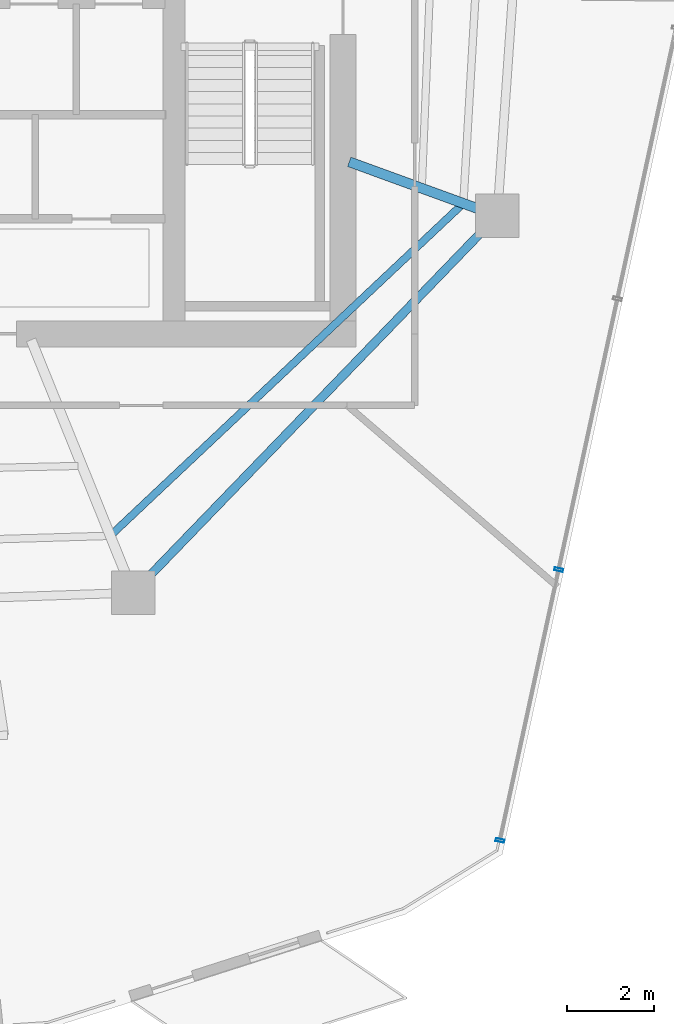
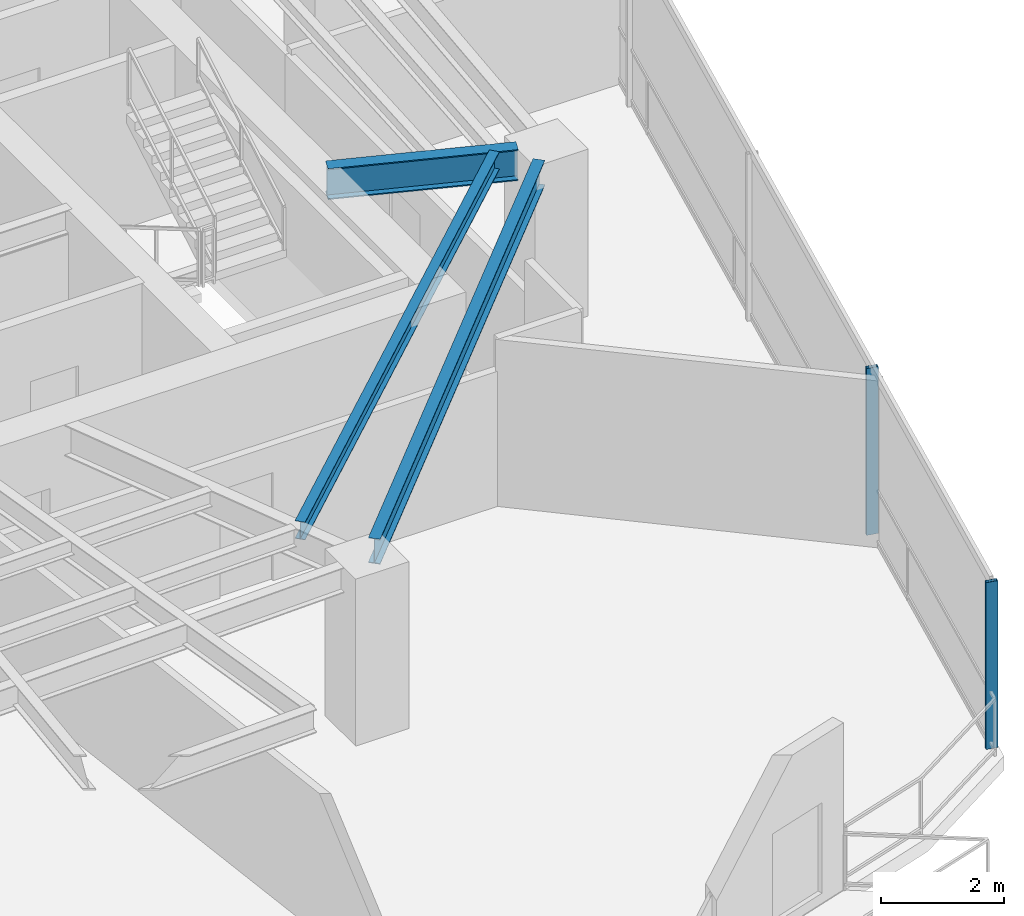
# One storey, part 8 of 21: 3 beams, 2 members, 1 element without a shape of its own.
"""IFC4 building model written with IfcOpenShell, lengths in metres."""

from ifc_helpers import new_model, si_unit, direction, frame, origin, origin_2d, place, context, subcontext, project, spatial, hollow_rectangle, i_section, extrude, material, layer, layer_set, material_profile, profile_set, type_object, element, aggregate, save


model = new_model("IFC4")

# Units and contexts
model_context = context("Model", 3, precision=1e-05, world=origin(), true_north=direction((0.0, 1.0)))
body_context = subcontext(model_context, "Body", "Model", "MODEL_VIEW")
ifc_project = project(units=[si_unit("LENGTHUNIT", "METRE"), si_unit("AREAUNIT", "SQUARE_METRE"), si_unit("VOLUMEUNIT", "CUBIC_METRE"), si_unit("PLANEANGLEUNIT", "RADIAN"), si_unit("MASSUNIT", "GRAM", prefix="KILO")], contexts=[model_context])

# Site, building, storey
site_placement = place(None, origin())
site = spatial("IfcSite", under=ifc_project, at=site_placement, CompositionType="ELEMENT")
building_placement = place(site_placement, origin())
building = spatial("IfcBuilding", under=site, at=building_placement, Name="Qarnah Convention Tower", CompositionType="ELEMENT")
storey_placement = place(building_placement, frame((0.0, 0.0, 132.89990234375)))
storey = spatial("IfcBuildingStorey", under=building, at=storey_placement, Name="L35", CompositionType="ELEMENT", Elevation=132.89990234375)

# Beams
ifc_material_1 = material(Name="Structural steel S355JR", Category="steel")
ifc_material_profile_1 = material_profile(ifc_material_1, i_section(OverallWidth=0.172119140625, OverallDepth=0.35595703125, WebThickness=0.007080078125, FlangeThickness=0.011962890625, at=origin_2d()), Name="W360X51")
ifc_profile_set_1 = profile_set([ifc_material_profile_1], Name="Structural steel S355JR")
beam_type_1 = type_object("IfcBeamType", Name="BM-JST-W360", PredefinedType="JOIST", material=ifc_profile_set_1)
beam_1_placement = place(storey_placement, frame((42.298095703125, 14.006103515625, 3.14208984375), z_axis=(0.728151110704, 0.685416632408, 0.0), x_axis=(-0.685416632408, 0.728151110704, 0.0)))
element("IfcBeam", 1, at=beam_1_placement, inside=storey, type_object=beam_type_1, Name="L35 joist BM-L35-SJST-08", PredefinedType="JOIST", context=body_context, shape_type="SweptSolid", body=[
    extrude(i_section(OverallWidth=0.172119140625, OverallDepth=0.35595703125, WebThickness=0.007080078125, FlangeThickness=0.011962890625, at=origin_2d()), origin(), (0.0, 0.0, 1.0), 10.99755859375),
])
ifc_material_profile_2 = material_profile(ifc_material_1, i_section(OverallWidth=0.22998046875, OverallDepth=0.617919921875, WebThickness=0.012939453125, FlangeThickness=0.02197265625, at=origin_2d()), Name="W610X140")
ifc_profile_set_2 = profile_set([ifc_material_profile_2], Name="Structural steel S355JR")
beam_type_2 = type_object("IfcBeamType", Name="BM-RAD-W610A", PredefinedType="BEAM", material=ifc_profile_set_2)
beam_2_placement = place(storey_placement, frame((47.740966796875, 22.56396484375, 3.010986328125), z_axis=(0.939610124669, -0.342246714549, 0.0), x_axis=(0.342246714549, 0.939610124669, 0.0)))
element("IfcBeam", 2, at=beam_2_placement, inside=storey, type_object=beam_type_2, Name="L35 beam BM-L35-RAD-09", PredefinedType="BEAM", context=body_context, shape_type="SweptSolid", body=[
    extrude(i_section(OverallWidth=0.22998046875, OverallDepth=0.617919921875, WebThickness=0.012939453125, FlangeThickness=0.02197265625, at=origin_2d()), origin(), (0.0, 0.0, 1.0), 3.15234375),
])
ifc_material_profile_3 = material_profile(ifc_material_1, i_section(OverallWidth=0.199951171875, OverallDepth=0.5, WebThickness=0.010009765625, FlangeThickness=0.01611328125, at=origin_2d()), Name="IPE500")
ifc_profile_set_3 = profile_set([ifc_material_profile_3], Name="Structural steel S355JR")
beam_type_3 = type_object("IfcBeamType", Name="BM-SPN-IPE500", PredefinedType="SPANDREL", material=ifc_profile_set_3)
beam_3_placement = place(storey_placement, frame((43.10302734375, 12.98291015625, 3.070068359375), z_axis=(0.694605503013, 0.719390850084, 0.0), x_axis=(-0.719390850084, 0.694605503013, 0.0)))
element("IfcBeam", 3, at=beam_3_placement, inside=storey, type_object=beam_type_3, Name="L35 spandrel BM-L35-SPN-08", PredefinedType="SPANDREL", context=body_context, shape_type="SweptSolid", body=[
    extrude(i_section(OverallWidth=0.199951171875, OverallDepth=0.5, WebThickness=0.010009765625, FlangeThickness=0.01611328125, at=origin_2d()), origin(), (0.0, 0.0, 1.0), 11.10107421875),
])

# Curtain wall, members
ifc_material_2 = material(Name="Tempered Low-E dark glass", Category="glass")
ifc_layer = layer(ifc_material_2, 0.172119140625)
ifc_layer_set = layer_set([ifc_layer], Name="Tempered Low-E dark glass")
curtain_wall_type = type_object("IfcCurtainWallType", Name="CWS-03", PredefinedType="NOTDEFINED", material=ifc_layer_set)
curtain_wall_placement = place(storey_placement, origin())
curtain_wall = element("IfcCurtainWall", 4, at=curtain_wall_placement, inside=storey, type_object=curtain_wall_type, Name="L35 unitised curtain wall CW-L35-F3", PredefinedType="NOTDEFINED")
ifc_material_3 = material(Name="Black anodised aluminium", Category="aluminium")
ifc_material_profile_4 = material_profile(ifc_material_3, hollow_rectangle(XDim=0.070068359375, YDim=0.199951171875, WallThickness=0.0048828125, at=origin_2d()), Name="MUL-70X200")
ifc_profile_set_4 = profile_set([ifc_material_profile_4], Name="Black anodised aluminium")
member_type = type_object("IfcMemberType", Name="MUL-T3", PredefinedType="MULLION", material=ifc_profile_set_4)
member_1_placement = place(storey_placement, frame((52.5703125, 13.1630859375, 0.0), z_axis=(0.0, 0.0, 1.0), x_axis=(-0.21201753146, -0.977265862677, 0.0)))
member_1 = element("IfcMember", 5, at=member_1_placement, type_object=member_type, Name="CW-L35-F3 mullion 5", PredefinedType="MULLION", context=body_context, shape_type="SweptSolid", body=[
    extrude(hollow_rectangle(XDim=0.070068359375, YDim=0.199951171875, WallThickness=0.0048828125, at=origin_2d()), origin(), (0.0, 0.0, 1.0), 3.320068359375),
])
member_2_placement = place(storey_placement, frame((51.216064453125, 6.9208984375, 0.0), z_axis=(0.0, 0.0, 1.0), x_axis=(-0.21201753146, -0.977265862677, 0.0)))
member_2 = element("IfcMember", 6, at=member_2_placement, type_object=member_type, Name="CW-L35-F3 mullion 6", PredefinedType="MULLION", context=body_context, shape_type="SweptSolid", body=[
    extrude(hollow_rectangle(XDim=0.070068359375, YDim=0.199951171875, WallThickness=0.0048828125, at=origin_2d()), origin(), (0.0, 0.0, 1.0), 3.320068359375),
])
aggregate(curtain_wall, [member_1, member_2])

save(model, "model.ifc")
